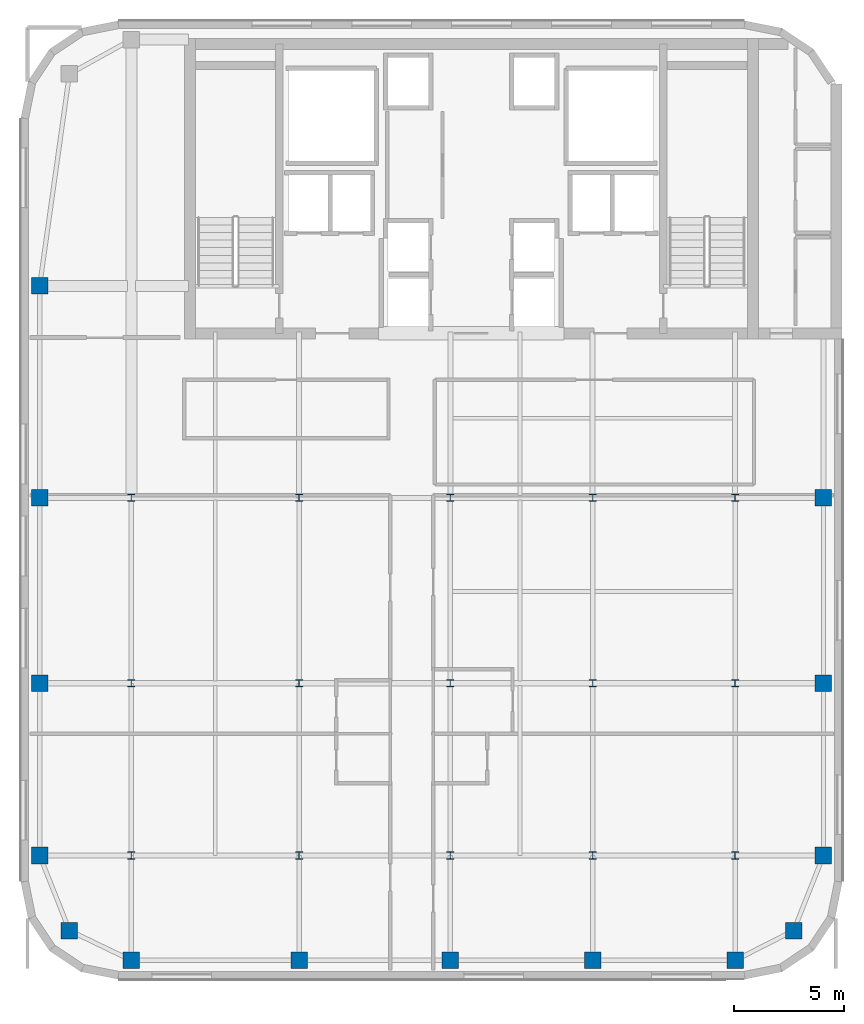
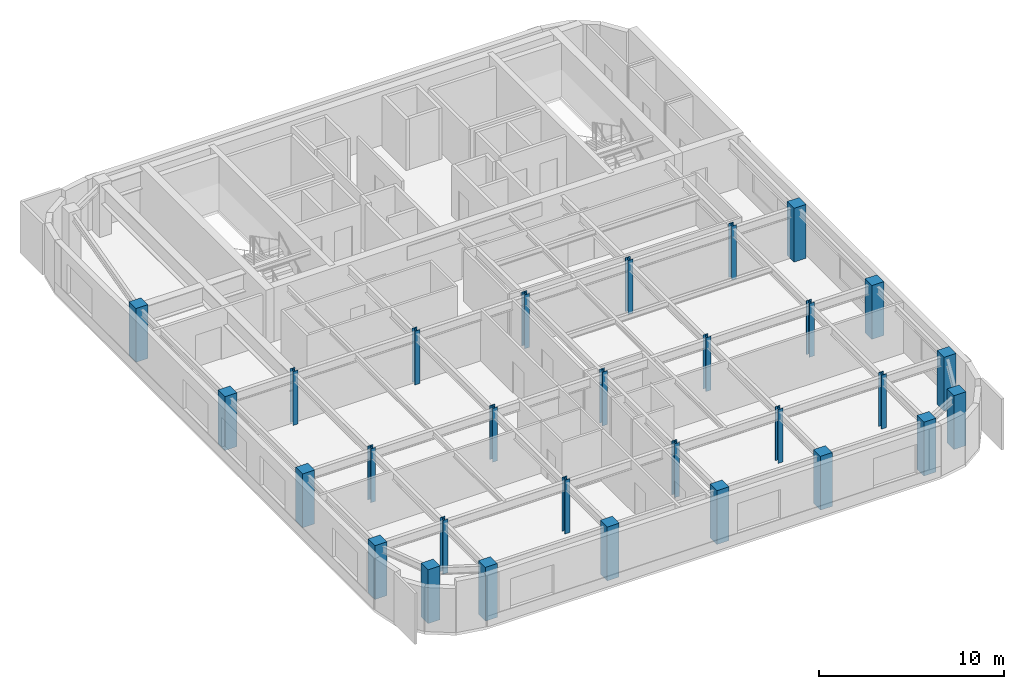
# One storey, part 1 of 10: 29 columns.
"""IFC4 building model written with IfcOpenShell, lengths in metres."""

from ifc_helpers import new_model, si_unit, direction, frame, origin, origin_2d, place, context, subcontext, project, spatial, rectangle, i_section, extrude, source, transform, mapped, material, material_profile, profile_set, type_object, type_shapes, element, save


model = new_model("IFC4")

# Units and contexts
model_context = context("Model", 3, precision=1e-05, world=origin(), true_north=direction((0.0, 1.0)))
body_context = subcontext(model_context, "Body", "Model", "MODEL_VIEW")
ifc_project = project(units=[si_unit("LENGTHUNIT", "METRE"), si_unit("AREAUNIT", "SQUARE_METRE"), si_unit("VOLUMEUNIT", "CUBIC_METRE"), si_unit("PLANEANGLEUNIT", "RADIAN"), si_unit("MASSUNIT", "GRAM", prefix="KILO")], contexts=[model_context])

# Site, building, storey
site_placement = place(None, origin())
site = spatial("IfcSite", under=ifc_project, at=site_placement, CompositionType="ELEMENT")
building_placement = place(site_placement, origin())
building = spatial("IfcBuilding", under=site, at=building_placement, Name="Tolvann Quenvar Hotel", CompositionType="ELEMENT")
storey_placement = place(building_placement, frame((0.0, 0.0, 220.35009765625)))
storey = spatial("IfcBuildingStorey", under=building, at=storey_placement, Name="L58", CompositionType="ELEMENT", Elevation=220.35009765625)

# Columns
ifc_material_1 = material(Name="Concrete N50 (50 MPa)", Category="concrete")
ifc_material_profile_1 = material_profile(ifc_material_1, rectangle(XDim=0.75, YDim=0.75, at=origin_2d()), Name="RC750x750")
ifc_profile_set_1 = profile_set([ifc_material_profile_1], Name="Concrete N50 (50 MPa)")
column_type_1 = type_object("IfcColumnType", Name="COL_RC750", PredefinedType="COLUMN", material=ifc_profile_set_1)
shared_shape_1 = source(origin(), body_context, "Body", "SweptSolid", [
    extrude(rectangle(XDim=0.75, YDim=0.75, at=origin_2d()), origin(), (0.0, 0.0, 1.0), 3.5498046875),
])
type_shapes(column_type_1, [shared_shape_1])
for number, where, z_axis, x_axis, name in (
    (1, (4.800048828125, 4.800048828125, 0.0), (0.0, 0.0, 1.0), (1.0, 0.0, 0.0), "Column B2 (L58)"),
    (2, (3.449951171875, 8.199951171875, 0.0), (0.0, 0.0, 1.0), (1.0, 0.0, 0.0), "Column B3 (L58)"),
    (3, (3.449951171875, 16.0, 0.0), (0.0, 0.0, 1.0), (1.0, 0.0, 0.0), "Column B4 (L58)"),
    (4, (3.449951171875, 24.39990234375, 0.0), (0.0, 0.0, 1.0), (1.0, 0.0, 0.0), "Column B5 (L58)"),
    (5, (7.60009765625, 3.449951171875, 0.0), (0.0, 0.0, 1.0), (1.0, 0.0, 0.0), "Column C2 (L58)"),
    (6, (15.199951171875, 3.449951171875, 0.0), (0.0, 0.0, 1.0), (1.0, 0.0, 0.0), "Column D2 (L58)"),
    (7, (22.050048828125, 3.449951171875, 0.0), (0.0, 0.0, 1.0), (1.0, 0.0, 0.0), "Column E2 (L58)"),
    (8, (28.5, 3.449951171875, 0.0), (0.0, 0.0, 1.0), (1.0, 0.0, 0.0), "Column M2 (L58)"),
    (9, (34.949951171875, 3.449951171875, 0.0), (0.0, 0.0, 1.0), (1.0, 0.0, 0.0), "Column F2 (L58)"),
    (10, (37.60009765625, 4.800048828125, 0.0), (0.0, 0.0, 1.0), (1.0, 0.0, 0.0), "Column G2 (L58)"),
    (11, (38.949951171875, 8.199951171875, 0.0), (0.0, 0.0, 1.0), (1.0, 0.0, 0.0), "Column G3 (L58)"),
    (12, (38.949951171875, 16.0, 0.0), (0.0, 0.0, 1.0), (1.0, 0.0, 0.0), "Column G4 (L58)"),
    (13, (38.949951171875, 24.39990234375, 0.0), (0.0, 0.0, 1.0), (1.0, 0.0, 0.0), "Column G5 (L58)"),
    (14, (3.449951171875, 34.0, 0.0), (0.0, 0.0, 1.0), (1.0, 0.0, 0.0), "Column BD6 (L58)"),
):
    element("IfcColumn", number, at=place(storey_placement, frame(where, z_axis=z_axis, x_axis=x_axis)), inside=storey, type_object=column_type_1, Name=name, PredefinedType="COLUMN", context=body_context, shape_type="MappedRepresentation", body=[
        mapped(shared_shape_1, transform((0.0, 0.0, 0.0), x_axis=(1.0, 0.0, 0.0), y_axis=(0.0, 1.0, 0.0), z_axis=(0.0, 0.0, 1.0), scale=1.0)),
    ])
ifc_material_2 = material(Name="Steel Grade 350", Category="steel")
ifc_material_profile_2 = material_profile(ifc_material_2, i_section(OverallWidth=0.31103515625, OverallDepth=0.326904296875, WebThickness=0.015625, FlangeThickness=0.02490234375, FilletRadius=0.0166015625, at=origin_2d()), Name="310UC158")
ifc_profile_set_2 = profile_set([ifc_material_profile_2], Name="Steel Grade 350")
column_type_2 = type_object("IfcColumnType", Name="COL_310UC158", PredefinedType="COLUMN", material=ifc_profile_set_2)
shared_shape_2 = source(origin(), body_context, "Body", "SweptSolid", [
    extrude(i_section(OverallWidth=0.31103515625, OverallDepth=0.326904296875, WebThickness=0.015625, FlangeThickness=0.02490234375, FilletRadius=0.0166015625, at=origin_2d()), origin(), (0.0, 0.0, 1.0), 3.5498046875),
])
type_shapes(column_type_2, [shared_shape_2])
for number, where, z_axis, x_axis, name in (
    (15, (7.60009765625, 8.199951171875, 0.0), (0.0, 0.0, 1.0), (1.0, 0.0, 0.0), "Column C3 (L58)"),
    (16, (7.60009765625, 16.0, 0.0), (0.0, 0.0, 1.0), (1.0, 0.0, 0.0), "Column C4 (L58)"),
    (17, (7.60009765625, 24.39990234375, 0.0), (0.0, 0.0, 1.0), (1.0, 0.0, 0.0), "Column C5 (L58)"),
    (18, (15.199951171875, 8.199951171875, 0.0), (0.0, 0.0, 1.0), (1.0, 0.0, 0.0), "Column D3 (L58)"),
    (19, (15.199951171875, 16.0, 0.0), (0.0, 0.0, 1.0), (1.0, 0.0, 0.0), "Column D4 (L58)"),
    (20, (15.199951171875, 24.39990234375, 0.0), (0.0, 0.0, 1.0), (1.0, 0.0, 0.0), "Column D5 (L58)"),
    (21, (22.050048828125, 8.199951171875, 0.0), (0.0, 0.0, 1.0), (1.0, 0.0, 0.0), "Column E3 (L58)"),
    (22, (22.050048828125, 16.0, 0.0), (0.0, 0.0, 1.0), (1.0, 0.0, 0.0), "Column E4 (L58)"),
    (23, (22.050048828125, 24.39990234375, 0.0), (0.0, 0.0, 1.0), (1.0, 0.0, 0.0), "Column E5 (L58)"),
    (24, (28.5, 8.199951171875, 0.0), (0.0, 0.0, 1.0), (1.0, 0.0, 0.0), "Column M3 (L58)"),
    (25, (28.5, 16.0, 0.0), (0.0, 0.0, 1.0), (1.0, 0.0, 0.0), "Column M4 (L58)"),
    (26, (28.5, 24.39990234375, 0.0), (0.0, 0.0, 1.0), (1.0, 0.0, 0.0), "Column M5 (L58)"),
    (27, (34.949951171875, 8.199951171875, 0.0), (0.0, 0.0, 1.0), (1.0, 0.0, 0.0), "Column F3 (L58)"),
    (28, (34.949951171875, 16.0, 0.0), (0.0, 0.0, 1.0), (1.0, 0.0, 0.0), "Column F4 (L58)"),
    (29, (34.949951171875, 24.39990234375, 0.0), (0.0, 0.0, 1.0), (1.0, 0.0, 0.0), "Column F5 (L58)"),
):
    element("IfcColumn", number, at=place(storey_placement, frame(where, z_axis=z_axis, x_axis=x_axis)), inside=storey, type_object=column_type_2, Name=name, PredefinedType="COLUMN", context=body_context, shape_type="MappedRepresentation", body=[
        mapped(shared_shape_2, transform((0.0, 0.0, 0.0), x_axis=(1.0, 0.0, 0.0), y_axis=(0.0, 1.0, 0.0), z_axis=(0.0, 0.0, 1.0), scale=1.0)),
    ])

save(model, "model.ifc")
